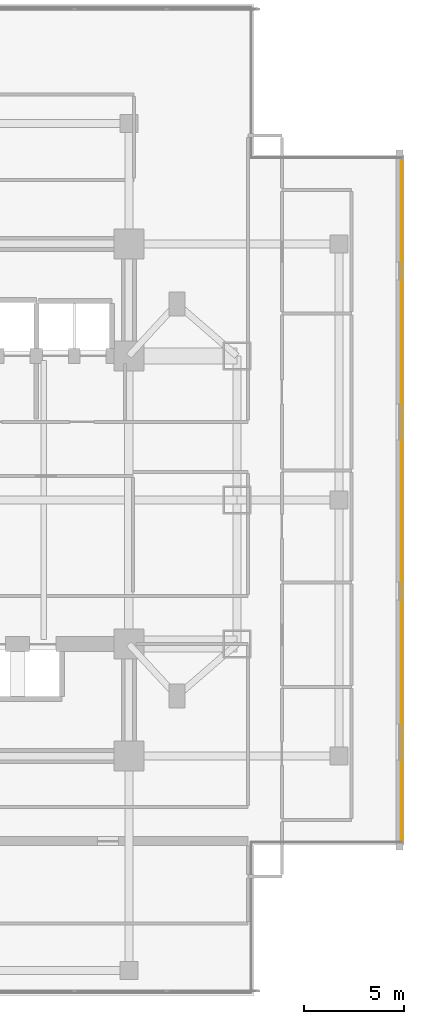
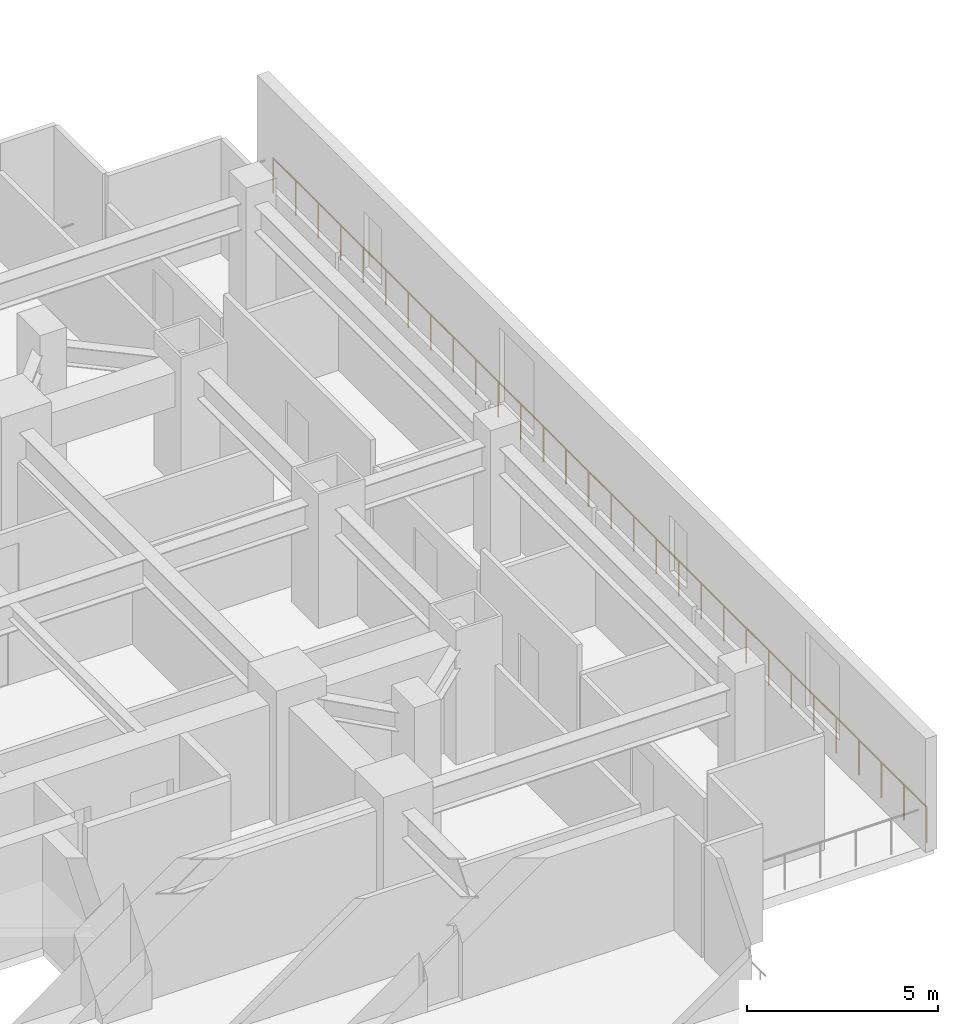
# One storey, part 25 of 26: 1 railing.
"""IFC4 building model written with IfcOpenShell, lengths in metres."""

from ifc_helpers import new_model, si_unit, direction, frame, origin, origin_2d, place, context, subcontext, project, spatial, circle, extrude, material, type_object, element, save


model = new_model("IFC4")

# Units and contexts
model_context = context("Model", 3, precision=1e-05, world=origin(), true_north=direction((0.0, 1.0)))
body_context = subcontext(model_context, "Body", "Model", "MODEL_VIEW")
ifc_project = project(units=[si_unit("LENGTHUNIT", "METRE"), si_unit("AREAUNIT", "SQUARE_METRE"), si_unit("VOLUMEUNIT", "CUBIC_METRE"), si_unit("PLANEANGLEUNIT", "RADIAN"), si_unit("MASSUNIT", "GRAM", prefix="KILO")], contexts=[model_context])

# Site, building, storey
site_placement = place(None, origin())
site = spatial("IfcSite", under=ifc_project, at=site_placement, CompositionType="ELEMENT")
building_placement = place(site_placement, origin())
building = spatial("IfcBuilding", under=site, at=building_placement, Name="Mirazonda Arch Towers", CompositionType="ELEMENT")
storey_placement = place(building_placement, frame((0.0, 0.0, 13.800048828125)))
storey = spatial("IfcBuildingStorey", under=building, at=storey_placement, Name="L03", CompositionType="ELEMENT", Elevation=13.800048828125)

# Railing
ifc_material = material(Name="Architectural Brushed Steel S355", Category="steel")
railing_type = type_object("IfcRailingType", Name="GUARD-EXT-1150", PredefinedType="GUARDRAIL", material=ifc_material)
railing_placement = place(storey_placement, frame((98.610107421875, 10.889892578125, 0.0)))
element("IfcRailing", 1, at=railing_placement, inside=storey, type_object=railing_type, Name="L03 L03 Bridged Podium Perimeter Guard 04", PredefinedType="GUARDRAIL", context=body_context, shape_type="SweptSolid", body=[
    extrude(circle(Radius=0.02392578125, at=origin_2d()), frame((0.0, 0.0, 1.1259765625), z_axis=(0.0, 1.0, 0.0), x_axis=(-1.0, 0.0, 0.0)), (0.0, 0.0, 1.0), 34.22021484375),
    extrude(circle(Radius=0.02099609375, at=origin_2d()), origin(), (0.0, 0.0, 1.0), 1.101806640625),
    extrude(circle(Radius=0.02099609375, at=origin_2d()), frame((0.0, 1.179931640625, 0.0)), (0.0, 0.0, 1.0), 1.101806640625),
    extrude(circle(Radius=0.02099609375, at=origin_2d()), frame((0.0, 2.360107421875, 0.0)), (0.0, 0.0, 1.0), 1.101806640625),
    extrude(circle(Radius=0.02099609375, at=origin_2d()), frame((0.0, 3.5400390625, 0.0)), (0.0, 0.0, 1.0), 1.101806640625),
    extrude(circle(Radius=0.02099609375, at=origin_2d()), frame((0.0, 4.719970703125, 0.0)), (0.0, 0.0, 1.0), 1.101806640625),
    extrude(circle(Radius=0.02099609375, at=origin_2d()), frame((0.0, 5.900146484375, 0.0)), (0.0, 0.0, 1.0), 1.101806640625),
    extrude(circle(Radius=0.02099609375, at=origin_2d()), frame((0.0, 7.080078125, 0.0)), (0.0, 0.0, 1.0), 1.101806640625),
    extrude(circle(Radius=0.02099609375, at=origin_2d()), frame((0.0, 8.260009765625, 0.0)), (0.0, 0.0, 1.0), 1.101806640625),
    extrude(circle(Radius=0.02099609375, at=origin_2d()), frame((0.0, 9.43994140625, 0.0)), (0.0, 0.0, 1.0), 1.101806640625),
    extrude(circle(Radius=0.02099609375, at=origin_2d()), frame((0.0, 10.6201171875, 0.0)), (0.0, 0.0, 1.0), 1.101806640625),
    extrude(circle(Radius=0.02099609375, at=origin_2d()), frame((0.0, 11.800048828125, 0.0)), (0.0, 0.0, 1.0), 1.101806640625),
    extrude(circle(Radius=0.02099609375, at=origin_2d()), frame((0.0, 12.97998046875, 0.0)), (0.0, 0.0, 1.0), 1.101806640625),
    extrude(circle(Radius=0.02099609375, at=origin_2d()), frame((0.0, 14.16015625, 0.0)), (0.0, 0.0, 1.0), 1.101806640625),
    extrude(circle(Radius=0.02099609375, at=origin_2d()), frame((0.0, 15.340087890625, 0.0)), (0.0, 0.0, 1.0), 1.101806640625),
    extrude(circle(Radius=0.02099609375, at=origin_2d()), frame((0.0, 16.52001953125, 0.0)), (0.0, 0.0, 1.0), 1.101806640625),
    extrude(circle(Radius=0.02099609375, at=origin_2d()), frame((0.0, 17.7001953125, 0.0)), (0.0, 0.0, 1.0), 1.101806640625),
    extrude(circle(Radius=0.02099609375, at=origin_2d()), frame((0.0, 18.880126953125, 0.0)), (0.0, 0.0, 1.0), 1.101806640625),
    extrude(circle(Radius=0.02099609375, at=origin_2d()), frame((0.0, 20.06005859375, 0.0)), (0.0, 0.0, 1.0), 1.101806640625),
    extrude(circle(Radius=0.02099609375, at=origin_2d()), frame((0.0, 21.240234375, 0.0)), (0.0, 0.0, 1.0), 1.101806640625),
    extrude(circle(Radius=0.02099609375, at=origin_2d()), frame((0.0, 22.420166015625, 0.0)), (0.0, 0.0, 1.0), 1.101806640625),
    extrude(circle(Radius=0.02099609375, at=origin_2d()), frame((0.0, 23.60009765625, 0.0)), (0.0, 0.0, 1.0), 1.101806640625),
    extrude(circle(Radius=0.02099609375, at=origin_2d()), frame((0.0, 24.7802734375, 0.0)), (0.0, 0.0, 1.0), 1.101806640625),
    extrude(circle(Radius=0.02099609375, at=origin_2d()), frame((0.0, 25.960205078125, 0.0)), (0.0, 0.0, 1.0), 1.101806640625),
    extrude(circle(Radius=0.02099609375, at=origin_2d()), frame((0.0, 27.14013671875, 0.0)), (0.0, 0.0, 1.0), 1.101806640625),
    extrude(circle(Radius=0.02099609375, at=origin_2d()), frame((0.0, 28.320068359375, 0.0)), (0.0, 0.0, 1.0), 1.101806640625),
    extrude(circle(Radius=0.02099609375, at=origin_2d()), frame((0.0, 29.500244140625, 0.0)), (0.0, 0.0, 1.0), 1.101806640625),
    extrude(circle(Radius=0.02099609375, at=origin_2d()), frame((0.0, 30.68017578125, 0.0)), (0.0, 0.0, 1.0), 1.101806640625),
    extrude(circle(Radius=0.02099609375, at=origin_2d()), frame((0.0, 31.860107421875, 0.0)), (0.0, 0.0, 1.0), 1.101806640625),
    extrude(circle(Radius=0.02099609375, at=origin_2d()), frame((0.0, 33.040283203125, 0.0)), (0.0, 0.0, 1.0), 1.101806640625),
    extrude(circle(Radius=0.02099609375, at=origin_2d()), frame((0.0, 34.22021484375, 0.0)), (0.0, 0.0, 1.0), 1.101806640625),
])

save(model, "model.ifc")
